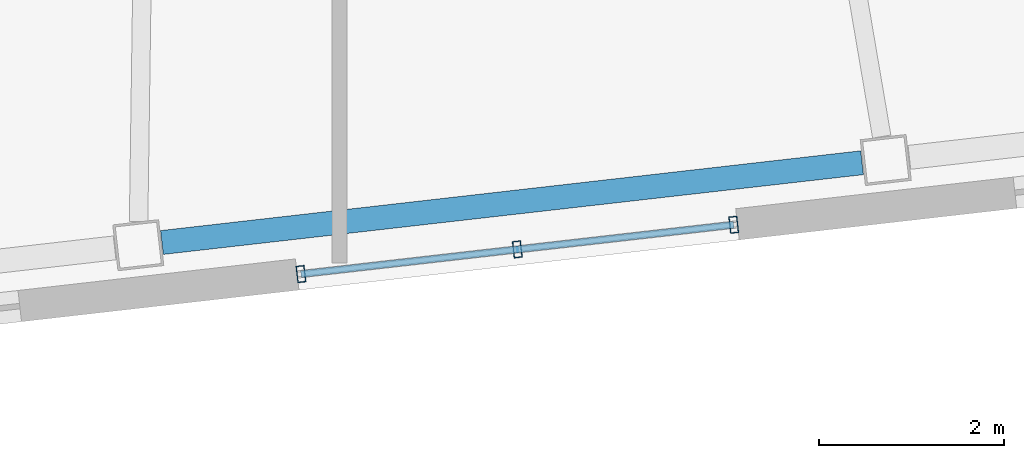
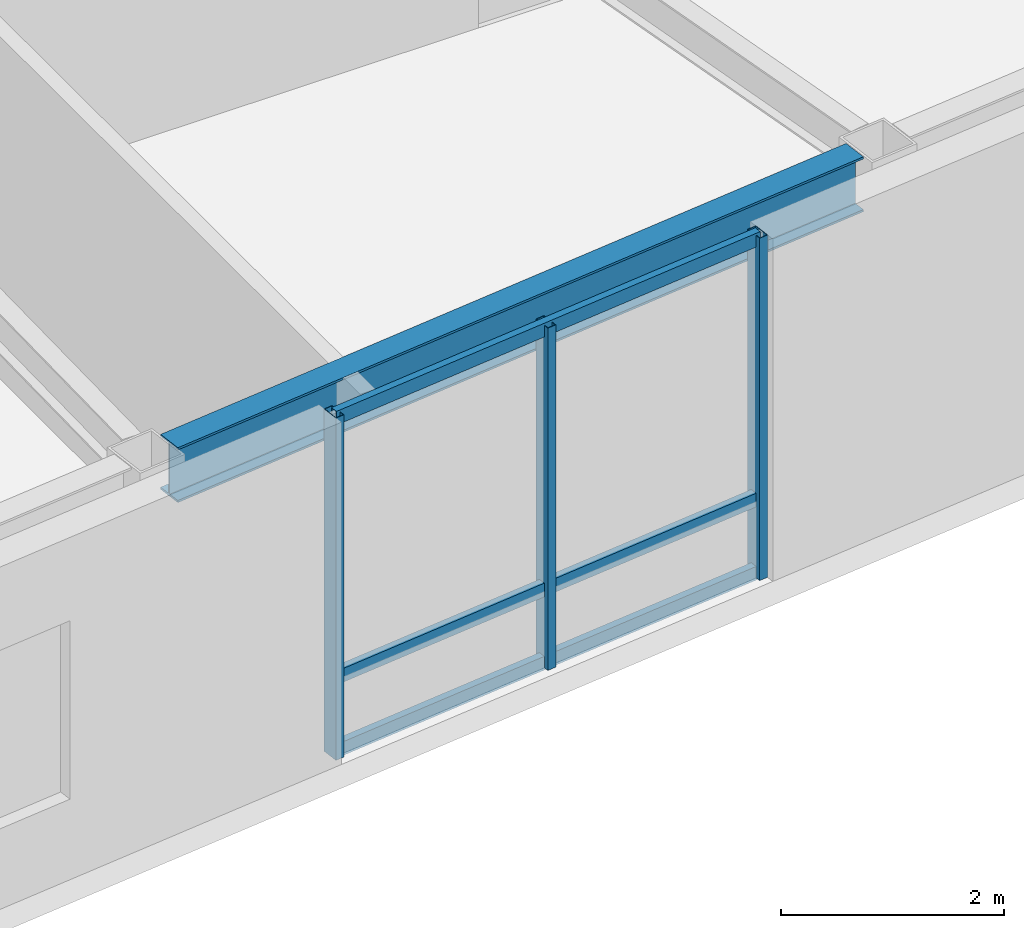
# One storey, part 6 of 20: 6 members, 1 beam, 1 element without a shape of its own.
"""IFC4 building model written with IfcOpenShell, lengths in metres."""

from ifc_helpers import new_model, si_unit, direction, frame, origin, origin_2d, place, context, subcontext, project, spatial, hollow_rectangle, i_section, extrude, material, layer, layer_set, material_profile, profile_set, type_object, element, aggregate, save


model = new_model("IFC4")

# Units and contexts
model_context = context("Model", 3, precision=1e-05, world=origin(), true_north=direction((0.0, 1.0)))
body_context = subcontext(model_context, "Body", "Model", "MODEL_VIEW")
ifc_project = project(units=[si_unit("LENGTHUNIT", "METRE"), si_unit("AREAUNIT", "SQUARE_METRE"), si_unit("VOLUMEUNIT", "CUBIC_METRE"), si_unit("PLANEANGLEUNIT", "RADIAN"), si_unit("MASSUNIT", "GRAM", prefix="KILO")], contexts=[model_context])

# Site, building, storey
site_placement = place(None, origin())
site = spatial("IfcSite", under=ifc_project, at=site_placement, CompositionType="ELEMENT")
building_placement = place(site_placement, origin())
building = spatial("IfcBuilding", under=site, at=building_placement, Name="Tavrogorsk Clinical Tower", CompositionType="ELEMENT")
storey_placement = place(building_placement, frame((0.0, 0.0, 251.0)))
storey = spatial("IfcBuildingStorey", under=building, at=storey_placement, Name="L58", CompositionType="ELEMENT", Elevation=251.0)

# Curtain wall, members
ifc_material_1 = material(Name="Anodised aluminium and triple IGU glazing", Category="aluminium")
ifc_layer = layer(ifc_material_1, 0.179931640625)
ifc_layer_set = layer_set([ifc_layer], Name="Anodised aluminium and triple IGU glazing")
curtain_wall_type = type_object("IfcCurtainWallType", Name="CW3_SouthSlot", PredefinedType="NOTDEFINED", material=ifc_layer_set)
curtain_wall_placement = place(storey_placement, origin())
curtain_wall = element("IfcCurtainWall", 1, at=curtain_wall_placement, inside=storey, type_object=curtain_wall_type, Name="L58 Curtain Wall CW-L58-S-SLOT-2", PredefinedType="NOTDEFINED")
ifc_material_2 = material(Name="Anodised aluminium alloy AW-6060", Category="aluminium")
ifc_material_profile_1 = material_profile(ifc_material_2, hollow_rectangle(XDim=0.090087890625, YDim=0.179931640625, WallThickness=0.00634765625, at=origin_2d()), Name="RHS-180x90x6.3")
ifc_profile_set_1 = profile_set([ifc_material_profile_1], Name="Anodised aluminium alloy AW-6060")
member_type_1 = type_object("IfcMemberType", Name="CwMullion_180x90", PredefinedType="MULLION", material=ifc_profile_set_1)
member_1_placement = place(storey_placement, frame((5.982177734375, -19.42529296875, 0.0), z_axis=(0.0, 0.0, 1.0), x_axis=(0.993571855603, 0.11320321441, 0.0)))
member_1 = element("IfcMember", 2, at=member_1_placement, type_object=member_type_1, Name="CW-L58-S-SLOT-2 Mullion 1", PredefinedType="MULLION", context=body_context, shape_type="SweptSolid", body=[
    extrude(hollow_rectangle(XDim=0.090087890625, YDim=0.179931640625, WallThickness=0.00634765625, at=origin_2d()), origin(), (0.0, 0.0, 1.0), 3.739990234375),
])
member_2_placement = place(storey_placement, frame((8.325927734375, -19.158203125, 0.0), z_axis=(0.0, 0.0, 1.0), x_axis=(0.993571855603, 0.11320321441, 0.0)))
member_2 = element("IfcMember", 3, at=member_2_placement, type_object=member_type_1, Name="CW-L58-S-SLOT-2 Mullion 2", PredefinedType="MULLION", context=body_context, shape_type="SweptSolid", body=[
    extrude(hollow_rectangle(XDim=0.090087890625, YDim=0.179931640625, WallThickness=0.00634765625, at=origin_2d()), origin(), (0.0, 0.0, 1.0), 3.739990234375),
])
member_3_placement = place(storey_placement, frame((10.669677734375, -18.89111328125, 0.0), z_axis=(0.0, 0.0, 1.0), x_axis=(0.993571855603, 0.11320321441, 0.0)))
member_3 = element("IfcMember", 4, at=member_3_placement, type_object=member_type_1, Name="CW-L58-S-SLOT-2 Mullion 3", PredefinedType="MULLION", context=body_context, shape_type="SweptSolid", body=[
    extrude(hollow_rectangle(XDim=0.090087890625, YDim=0.179931640625, WallThickness=0.00634765625, at=origin_2d()), origin(), (0.0, 0.0, 1.0), 3.739990234375),
])
ifc_material_3 = material(Name="Anodised aluminium alloy AW-6060", Category="aluminium")
ifc_material_profile_2 = material_profile(ifc_material_3, hollow_rectangle(XDim=0.074951171875, YDim=0.14990234375, WallThickness=0.0048828125, at=origin_2d()), Name="RHS-150x75x5")
ifc_profile_set_2 = profile_set([ifc_material_profile_2], Name="Anodised aluminium alloy AW-6060")
member_type_2 = type_object("IfcMemberType", Name="CwTransom_150x75", PredefinedType="USERDEFINED", material=ifc_profile_set_2)
member_4_placement = place(storey_placement, frame((5.982177734375, -19.42529296875, 0.050048828125), z_axis=(0.993569315854, 0.113225503286, 0.0), x_axis=(-0.113225503286, 0.993569315854, 0.0)))
member_4 = element("IfcMember", 5, at=member_4_placement, type_object=member_type_2, Name="CW-L58-S-SLOT-2 Transom 1", ObjectType="TRANSOM", PredefinedType="USERDEFINED", context=body_context, shape_type="SweptSolid", body=[
    extrude(hollow_rectangle(XDim=0.074951171875, YDim=0.14990234375, WallThickness=0.0048828125, at=origin_2d()), origin(), (0.0, 0.0, 1.0), 4.7177734375),
])
member_5_placement = place(storey_placement, frame((5.982177734375, -19.42529296875, 0.85009765625), z_axis=(0.993569315854, 0.113225503286, 0.0), x_axis=(-0.113225503286, 0.993569315854, 0.0)))
member_5 = element("IfcMember", 6, at=member_5_placement, type_object=member_type_2, Name="CW-L58-S-SLOT-2 Transom 2", ObjectType="TRANSOM", PredefinedType="USERDEFINED", context=body_context, shape_type="SweptSolid", body=[
    extrude(hollow_rectangle(XDim=0.074951171875, YDim=0.14990234375, WallThickness=0.0048828125, at=origin_2d()), origin(), (0.0, 0.0, 1.0), 4.7177734375),
])
member_6_placement = place(storey_placement, frame((5.982177734375, -19.42529296875, 3.68994140625), z_axis=(0.993569315854, 0.113225503286, 0.0), x_axis=(-0.113225503286, 0.993569315854, 0.0)))
member_6 = element("IfcMember", 7, at=member_6_placement, type_object=member_type_2, Name="CW-L58-S-SLOT-2 Transom 3", ObjectType="TRANSOM", PredefinedType="USERDEFINED", context=body_context, shape_type="SweptSolid", body=[
    extrude(hollow_rectangle(XDim=0.074951171875, YDim=0.14990234375, WallThickness=0.0048828125, at=origin_2d()), origin(), (0.0, 0.0, 1.0), 4.7177734375),
])
aggregate(curtain_wall, [member_1, member_2, member_3, member_4, member_5, member_6])

# Beam
ifc_material_4 = material(Name="Structural steel S390", Category="steel")
ifc_material_profile_3 = material_profile(ifc_material_4, i_section(OverallWidth=0.260009765625, OverallDepth=0.60009765625, WebThickness=0.014892578125, FlangeThickness=0.02392578125, at=origin_2d()), Name="B-600x260x15x24")
ifc_profile_set_3 = profile_set([ifc_material_profile_3], Name="Structural steel S390")
beam_type = type_object("IfcBeamType", Name="SpandrelBeam_B600", PredefinedType="SPANDREL", material=ifc_profile_set_3)
beam_placement = place(storey_placement, frame((4.476318359375, -19.08349609375, 3.43994140625), z_axis=(0.993572509708, 0.113197473259, 0.0), x_axis=(-0.113197473259, 0.993572509708, 0.0)))
element("IfcBeam", 8, at=beam_placement, inside=storey, type_object=beam_type, Name="L58 Perimeter Spandrel S5-S6", PredefinedType="SPANDREL", context=body_context, shape_type="SweptSolid", body=[
    extrude(i_section(OverallWidth=0.260009765625, OverallDepth=0.60009765625, WebThickness=0.014892578125, FlangeThickness=0.02392578125, at=origin_2d()), origin(), (0.0, 0.0, 1.0), 7.6328125),
])

save(model, "model.ifc")
